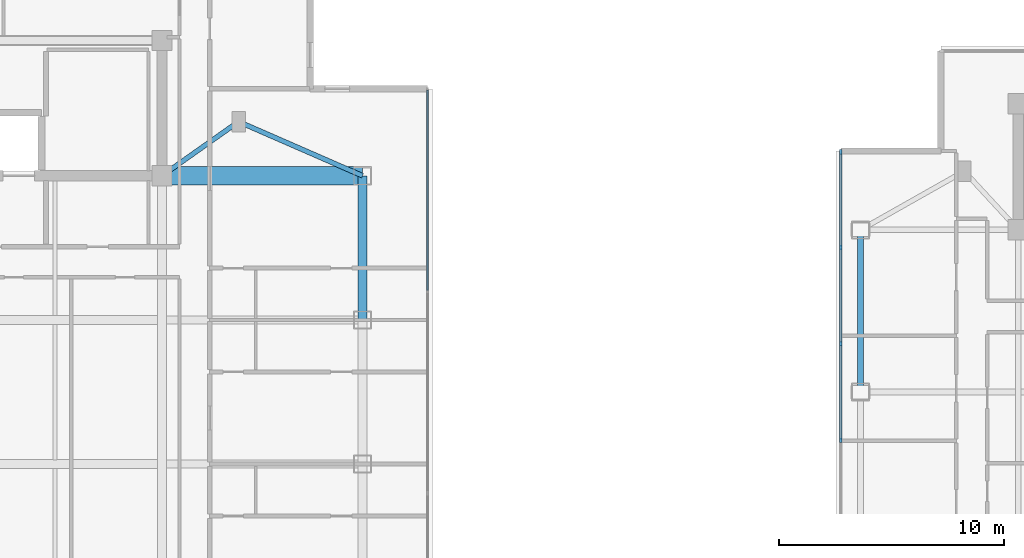
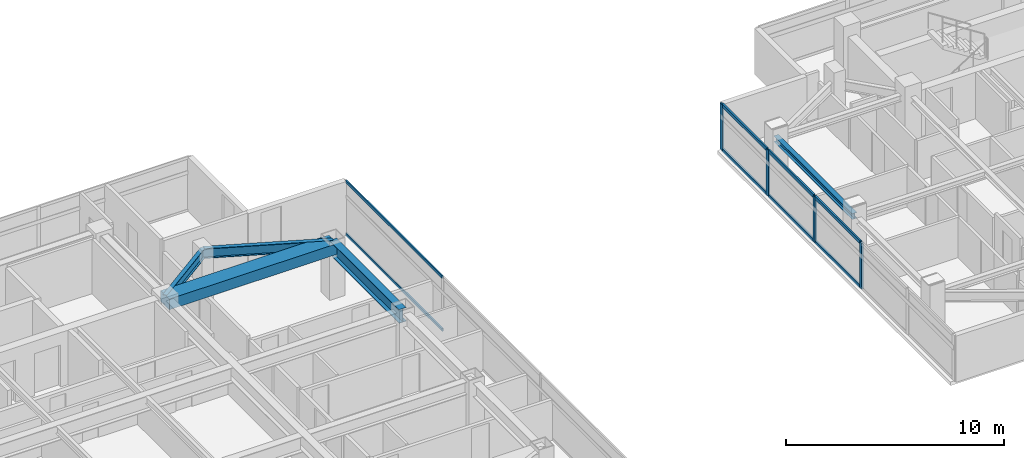
# One storey, part 5 of 21: 12 members, 5 beams, 2 elements without a shape of their own.
"""IFC4 building model written with IfcOpenShell, lengths in metres."""

from ifc_helpers import new_model, si_unit, direction, frame, origin, origin_2d, place, context, subcontext, project, spatial, rectangle, i_section, extrude, material, material_profile, profile_set, type_object, element, aggregate, save


model = new_model("IFC4")

# Units and contexts
model_context = context("Model", 3, precision=1e-05, world=origin(), true_north=direction((0.0, 1.0)))
body_context = subcontext(model_context, "Body", "Model", "MODEL_VIEW")
ifc_project = project(units=[si_unit("LENGTHUNIT", "METRE"), si_unit("AREAUNIT", "SQUARE_METRE"), si_unit("VOLUMEUNIT", "CUBIC_METRE"), si_unit("PLANEANGLEUNIT", "RADIAN"), si_unit("MASSUNIT", "GRAM", prefix="KILO")], contexts=[model_context])

# Site, building, storey
site_placement = place(None, origin())
site = spatial("IfcSite", under=ifc_project, at=site_placement, CompositionType="ELEMENT")
building_placement = place(site_placement, origin())
building = spatial("IfcBuilding", under=site, at=building_placement, Name="Mirazonda Arch Towers", CompositionType="ELEMENT")
storey_placement = place(building_placement, frame((0.0, 0.0, 206.39990234375)))
storey = spatial("IfcBuildingStorey", under=building, at=storey_placement, Name="L59", CompositionType="ELEMENT", Elevation=206.39990234375)

# Beams
ifc_material_1 = material(Name="Steel ASTM A992 Grade 50", Category="steel")
ifc_material_profile_1 = material_profile(ifc_material_1, i_section(OverallWidth=0.381103515625, OverallDepth=0.77294921875, WebThickness=0.0166015625, FlangeThickness=0.027099609375, at=origin_2d()), Name="W30X173")
ifc_profile_set_1 = profile_set([ifc_material_profile_1], Name="Steel ASTM A992 Grade 50")
beam_type_1 = type_object("IfcBeamType", Name="BM-EXT-W30X173", PredefinedType="USERDEFINED", material=ifc_profile_set_1)
beam_1_placement = place(storey_placement, frame((38.89990234375, 31.199951171875, 2.66357421875), z_axis=(0.0, 1.0, 0.0), x_axis=(-1.0, 0.0, 0.0)))
element("IfcBeam", 1, at=beam_1_placement, inside=storey, type_object=beam_type_1, Name="L59 Floor Beam BM-T1-L59-NS-E-31", ObjectType="GIRDER", PredefinedType="USERDEFINED", context=body_context, shape_type="SweptSolid", body=[
    extrude(i_section(OverallWidth=0.381103515625, OverallDepth=0.77294921875, WebThickness=0.0166015625, FlangeThickness=0.027099609375, at=origin_2d()), origin(), (0.0, 0.0, 1.0), 6.400146484375),
])
ifc_material_profile_2 = material_profile(ifc_material_1, i_section(OverallWidth=0.257080078125, OverallDepth=0.330078125, WebThickness=0.011962890625, FlangeThickness=0.01953125, at=origin_2d()), Name="W10X68")
ifc_profile_set_2 = profile_set([ifc_material_profile_2], Name="Steel ASTM A992 Grade 50")
beam_type_2 = type_object("IfcBeamType", Name="BM-INT-W10X68", PredefinedType="BEAM", material=ifc_profile_set_2)
beam_2_placement = place(storey_placement, frame((61.0, 28.0, 2.43505859375), z_axis=(0.0, 1.0, 0.0), x_axis=(-1.0, 0.0, 0.0)))
element("IfcBeam", 2, at=beam_2_placement, inside=storey, type_object=beam_type_2, Name="L59 Floor Beam BMT-T2-L59-NS-W-28", PredefinedType="BEAM", context=body_context, shape_type="SweptSolid", body=[
    extrude(i_section(OverallWidth=0.257080078125, OverallDepth=0.330078125, WebThickness=0.011962890625, FlangeThickness=0.01953125, at=origin_2d()), origin(), (0.0, 0.0, 1.0), 7.199951171875),
])
ifc_material_profile_3 = material_profile(ifc_material_1, i_section(OverallWidth=0.214111328125, OverallDepth=0.549072265625, WebThickness=0.0146484375, FlangeThickness=0.023681640625, at=origin_2d()), Name="W21X93")
ifc_profile_set_3 = profile_set([ifc_material_profile_3], Name="Steel ASTM A992 Grade 50")
beam_type_3 = type_object("IfcBeamType", Name="BM-INT-W21X93", PredefinedType="BEAM", material=ifc_profile_set_3)
beam_3_placement = place(storey_placement, frame((33.39990234375, 40.0, 2.775634765625), z_axis=(-0.816971114901, -0.576678591087, 0.0), x_axis=(0.576678591087, -0.816971114901, 0.0)))
element("IfcBeam", 3, at=beam_3_placement, inside=storey, type_object=beam_type_3, Name="L59 Floor Beam BM-T1-L59-PL-NE1", PredefinedType="BEAM", context=body_context, shape_type="SweptSolid", body=[
    extrude(i_section(OverallWidth=0.214111328125, OverallDepth=0.549072265625, WebThickness=0.0146484375, FlangeThickness=0.023681640625, at=origin_2d()), origin(), (0.0, 0.0, 1.0), 4.16162109375),
])
beam_4_placement = place(storey_placement, frame((33.39990234375, 40.0, 2.775634765625), z_axis=(0.916545343703, -0.399930785183, 0.0), x_axis=(0.399930785183, 0.916545343703, 0.0)))
element("IfcBeam", 4, at=beam_4_placement, inside=storey, type_object=beam_type_3, Name="L59 Floor Beam BM-T1-L59-PL-NE2", PredefinedType="BEAM", context=body_context, shape_type="SweptSolid", body=[
    extrude(i_section(OverallWidth=0.214111328125, OverallDepth=0.549072265625, WebThickness=0.0146484375, FlangeThickness=0.023681640625, at=origin_2d()), origin(), (0.0, 0.0, 1.0), 6.000732421875),
])
ifc_material_2 = material(Name="Concrete C60/75", Category="concrete")
ifc_material_profile_4 = material_profile(ifc_material_2, rectangle(XDim=0.800048828125, YDim=0.60009765625, at=origin_2d()), Name="RCCB800x600")
ifc_profile_set_4 = profile_set([ifc_material_profile_4], Name="Concrete C60/75")
beam_type_4 = type_object("IfcBeamType", Name="CB-INT-RCCB800x600", PredefinedType="SPANDREL", material=ifc_profile_set_4)
beam_5_placement = place(storey_placement, frame((30.0, 37.60009765625, 2.75), z_axis=(1.0, 0.0, 0.0), x_axis=(0.0, 1.0, 0.0)))
element("IfcBeam", 5, at=beam_5_placement, inside=storey, type_object=beam_type_4, Name="L59 Floor Beam CBC-T1-L59-NE", PredefinedType="SPANDREL", context=body_context, shape_type="SweptSolid", body=[
    extrude(rectangle(XDim=0.800048828125, YDim=0.60009765625, at=origin_2d()), origin(), (0.0, 0.0, 1.0), 8.89990234375),
])

# Curtain wall, members
ifc_material_3 = material(Name="Anodised Aluminium and Low-E Glass", Category="aluminium")
curtain_wall_type_1 = type_object("IfcCurtainWallType", Name="CW-OBS-LANTERN", PredefinedType="NOTDEFINED", material=ifc_material_3)
curtain_wall_1_placement = place(storey_placement, origin())
curtain_wall_1 = element("IfcCurtainWall", 6, at=curtain_wall_1_placement, inside=storey, type_object=curtain_wall_type_1, Name="L59 T2 W Facade CW-L59-T2-W", PredefinedType="NOTDEFINED")
ifc_material_4 = material(Name="Anodised Aluminium Alloy", Category="aluminium")
ifc_material_profile_5 = material_profile(ifc_material_4, rectangle(XDim=0.090087890625, YDim=0.2099609375, at=origin_2d()), Name="ALU-MULL-90x210")
ifc_profile_set_5 = profile_set([ifc_material_profile_5], Name="Anodised Aluminium Alloy")
member_type_1 = type_object("IfcMemberType", Name="MULL-CW-OBS-LANTERN", PredefinedType="MULLION", material=ifc_profile_set_5)
member_1_placement = place(storey_placement, frame((60.12255859375, 38.65380859375, 0.0), z_axis=(0.0, 0.0, 1.0), x_axis=(1.0, 0.0, 0.0)))
member_1 = element("IfcMember", 7, at=member_1_placement, type_object=member_type_1, Name="CW-110 mullion 1", PredefinedType="MULLION", context=body_context, shape_type="SweptSolid", body=[
    extrude(rectangle(XDim=0.090087890625, YDim=0.2099609375, at=origin_2d()), origin(), (0.0, 0.0, 1.0), 2.580078125),
])
member_2_placement = place(storey_placement, frame((60.12255859375, 34.419189453125, 0.0), z_axis=(0.0, 0.0, 1.0), x_axis=(1.0, 0.0, 0.0)))
member_2 = element("IfcMember", 8, at=member_2_placement, type_object=member_type_1, Name="CW-110 mullion 2", PredefinedType="MULLION", context=body_context, shape_type="SweptSolid", body=[
    extrude(rectangle(XDim=0.090087890625, YDim=0.2099609375, at=origin_2d()), origin(), (0.0, 0.0, 1.0), 2.580078125),
])
member_3_placement = place(storey_placement, frame((60.12255859375, 30.1396484375, 0.0), z_axis=(0.0, 0.0, 1.0), x_axis=(1.0, 0.0, 0.0)))
member_3 = element("IfcMember", 9, at=member_3_placement, type_object=member_type_1, Name="CW-110 mullion 3", PredefinedType="MULLION", context=body_context, shape_type="SweptSolid", body=[
    extrude(rectangle(XDim=0.090087890625, YDim=0.2099609375, at=origin_2d()), origin(), (0.0, 0.0, 1.0), 2.580078125),
])
member_4_placement = place(storey_placement, frame((60.12255859375, 25.8603515625, 0.0), z_axis=(0.0, 0.0, 1.0), x_axis=(1.0, 0.0, 0.0)))
member_4 = element("IfcMember", 10, at=member_4_placement, type_object=member_type_1, Name="CW-110 mullion 4", PredefinedType="MULLION", context=body_context, shape_type="SweptSolid", body=[
    extrude(rectangle(XDim=0.090087890625, YDim=0.2099609375, at=origin_2d()), origin(), (0.0, 0.0, 1.0), 2.580078125),
])
ifc_material_profile_6 = material_profile(ifc_material_4, rectangle(XDim=0.090087890625, YDim=0.18994140625, at=origin_2d()), Name="ALU-TRAN-90x190")
ifc_profile_set_6 = profile_set([ifc_material_profile_6], Name="Anodised Aluminium Alloy")
member_type_2 = type_object("IfcMemberType", Name="TRAN-CW-OBS-LANTERN", PredefinedType="USERDEFINED", material=ifc_profile_set_6)
member_5_placement = place(storey_placement, frame((60.12255859375, 38.60888671875, 0.045166015625), z_axis=(0.0, -1.0, 0.0), x_axis=(1.0, 0.0, 0.0)))
member_5 = element("IfcMember", 11, at=member_5_placement, type_object=member_type_2, Name="CW-110 transom 1.1", ObjectType="TRANSOM", PredefinedType="USERDEFINED", context=body_context, shape_type="SweptSolid", body=[
    extrude(rectangle(XDim=0.090087890625, YDim=0.18994140625, at=origin_2d()), origin(), (0.0, 0.0, 1.0), 4.14453125),
])
member_6_placement = place(storey_placement, frame((60.12255859375, 38.60888671875, 2.53515625), z_axis=(0.0, -1.0, 0.0), x_axis=(1.0, 0.0, 0.0)))
member_6 = element("IfcMember", 12, at=member_6_placement, type_object=member_type_2, Name="CW-110 transom 1.2", ObjectType="TRANSOM", PredefinedType="USERDEFINED", context=body_context, shape_type="SweptSolid", body=[
    extrude(rectangle(XDim=0.090087890625, YDim=0.18994140625, at=origin_2d()), origin(), (0.0, 0.0, 1.0), 4.14453125),
])
member_7_placement = place(storey_placement, frame((60.12255859375, 34.374267578125, 0.045166015625), z_axis=(0.0, -1.0, 0.0), x_axis=(1.0, 0.0, 0.0)))
member_7 = element("IfcMember", 13, at=member_7_placement, type_object=member_type_2, Name="CW-110 transom 2.1", ObjectType="TRANSOM", PredefinedType="USERDEFINED", context=body_context, shape_type="SweptSolid", body=[
    extrude(rectangle(XDim=0.090087890625, YDim=0.18994140625, at=origin_2d()), origin(), (0.0, 0.0, 1.0), 4.189453125),
])
member_8_placement = place(storey_placement, frame((60.12255859375, 34.374267578125, 2.53515625), z_axis=(0.0, -1.0, 0.0), x_axis=(1.0, 0.0, 0.0)))
member_8 = element("IfcMember", 14, at=member_8_placement, type_object=member_type_2, Name="CW-110 transom 2.2", ObjectType="TRANSOM", PredefinedType="USERDEFINED", context=body_context, shape_type="SweptSolid", body=[
    extrude(rectangle(XDim=0.090087890625, YDim=0.18994140625, at=origin_2d()), origin(), (0.0, 0.0, 1.0), 4.189453125),
])
member_9_placement = place(storey_placement, frame((60.12255859375, 30.0947265625, 0.045166015625), z_axis=(0.0, -1.0, 0.0), x_axis=(1.0, 0.0, 0.0)))
member_9 = element("IfcMember", 15, at=member_9_placement, type_object=member_type_2, Name="CW-110 transom 3.1", ObjectType="TRANSOM", PredefinedType="USERDEFINED", context=body_context, shape_type="SweptSolid", body=[
    extrude(rectangle(XDim=0.090087890625, YDim=0.18994140625, at=origin_2d()), origin(), (0.0, 0.0, 1.0), 4.189453125),
])
member_10_placement = place(storey_placement, frame((60.12255859375, 30.0947265625, 2.53515625), z_axis=(0.0, -1.0, 0.0), x_axis=(1.0, 0.0, 0.0)))
member_10 = element("IfcMember", 16, at=member_10_placement, type_object=member_type_2, Name="CW-110 transom 3.2", ObjectType="TRANSOM", PredefinedType="USERDEFINED", context=body_context, shape_type="SweptSolid", body=[
    extrude(rectangle(XDim=0.090087890625, YDim=0.18994140625, at=origin_2d()), origin(), (0.0, 0.0, 1.0), 4.189453125),
])
aggregate(curtain_wall_1, [member_1, member_2, member_3, member_4, member_5, member_6, member_7, member_8, member_9, member_10])

curtain_wall_type_2 = type_object("IfcCurtainWallType", Name="CW-RES-UNIT", PredefinedType="NOTDEFINED", material=ifc_material_3)
curtain_wall_2_placement = place(storey_placement, origin())
curtain_wall_2 = element("IfcCurtainWall", 17, at=curtain_wall_2_placement, inside=storey, type_object=curtain_wall_type_2, Name="L59 T1 E Facade CW-L59-T1-E", PredefinedType="NOTDEFINED")
ifc_material_profile_7 = material_profile(ifc_material_4, rectangle(XDim=0.074951171875, YDim=0.155029296875, at=origin_2d()), Name="ALU-TRAN-75x155")
ifc_profile_set_7 = profile_set([ifc_material_profile_7], Name="Anodised Aluminium Alloy")
member_type_3 = type_object("IfcMemberType", Name="TRAN-CW-RES-UNIT", PredefinedType="USERDEFINED", material=ifc_profile_set_7)
member_11_placement = place(storey_placement, frame((41.7900390625, 32.5244140625, 0.03759765625), z_axis=(0.0, 1.0, 0.0), x_axis=(-1.0, 0.0, 0.0)))
member_11 = element("IfcMember", 18, at=member_11_placement, type_object=member_type_3, Name="CW-104 transom 3.1", ObjectType="TRANSOM", PredefinedType="USERDEFINED", context=body_context, shape_type="SweptSolid", body=[
    extrude(rectangle(XDim=0.074951171875, YDim=0.155029296875, at=origin_2d()), origin(), (0.0, 0.0, 1.0), 8.861572265625),
])
member_12_placement = place(storey_placement, frame((41.7900390625, 32.5244140625, 2.99267578125), z_axis=(0.0, 1.0, 0.0), x_axis=(-1.0, 0.0, 0.0)))
member_12 = element("IfcMember", 19, at=member_12_placement, type_object=member_type_3, Name="CW-104 transom 3.2", ObjectType="TRANSOM", PredefinedType="USERDEFINED", context=body_context, shape_type="SweptSolid", body=[
    extrude(rectangle(XDim=0.074951171875, YDim=0.155029296875, at=origin_2d()), origin(), (0.0, 0.0, 1.0), 8.861572265625),
])
aggregate(curtain_wall_2, [member_11, member_12])

save(model, "model.ifc")
